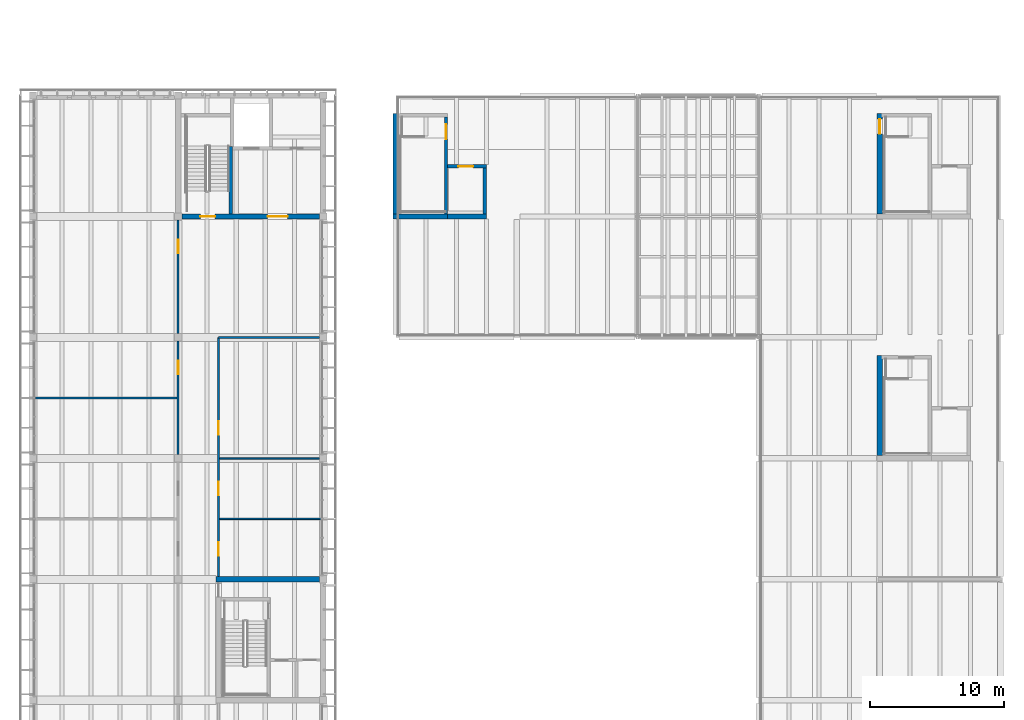
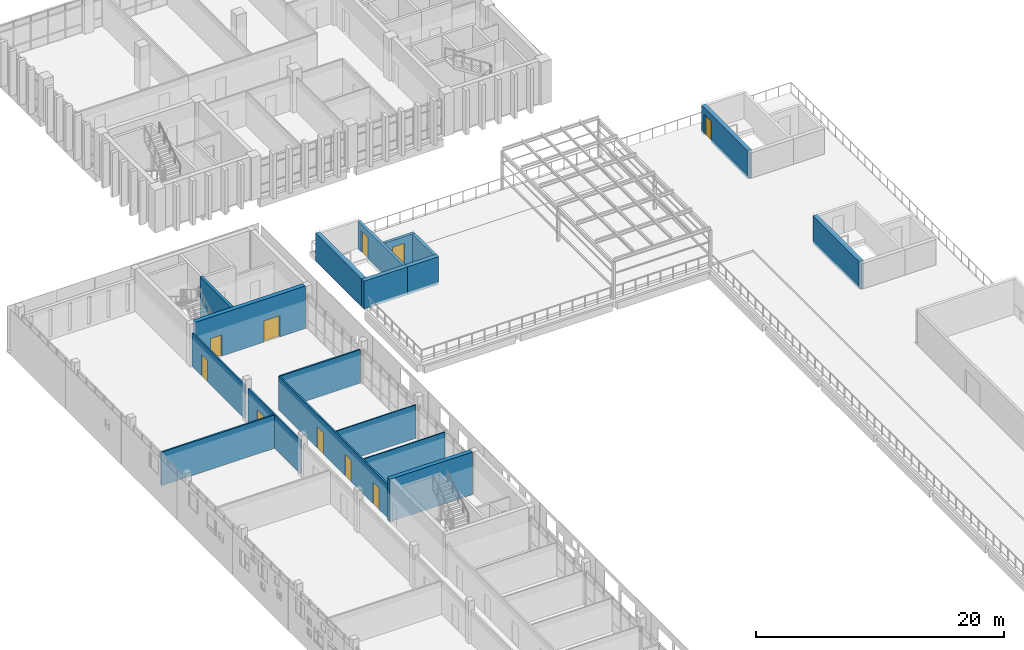
# One storey, part 46 of 74: 18 walls, 10 doors, 10 openings.
"""IFC4 building model written with IfcOpenShell, lengths in metres."""

from ifc_helpers import new_model, si_unit, direction, frame, frame_2d, origin, place, context, subcontext, project, spatial, rectangle, extrude, material, layer, layer_set, type_object, element, fill, save


model = new_model("IFC4")

# Units and contexts
model_context = context("Model", 3, precision=1e-05, world=origin(), true_north=direction((0.0, 1.0)))
body_context = subcontext(model_context, "Body", "Model", "MODEL_VIEW")
ifc_project = project(units=[si_unit("LENGTHUNIT", "METRE"), si_unit("AREAUNIT", "SQUARE_METRE"), si_unit("VOLUMEUNIT", "CUBIC_METRE"), si_unit("PLANEANGLEUNIT", "RADIAN"), si_unit("MASSUNIT", "GRAM", prefix="KILO")], contexts=[model_context])

# Site, building, storey
site_placement = place(None, origin())
site = spatial("IfcSite", under=ifc_project, at=site_placement, CompositionType="ELEMENT")
building_placement = place(site_placement, origin())
building = spatial("IfcBuilding", under=site, at=building_placement, Name="Merrow Basin Faculty of Sciences", CompositionType="ELEMENT")
storey_placement = place(building_placement, frame((0.0, 0.0, 13.5)))
storey = spatial("IfcBuildingStorey", under=building, at=storey_placement, Name="L03", CompositionType="ELEMENT", Elevation=13.5)

# Wall, openings, doors
ifc_material_1 = material(Name="Fire-rated gypsum board")
ifc_layer_1 = layer(ifc_material_1, 0.14990234375)
ifc_layer_set_1 = layer_set([ifc_layer_1], Name="Corridor partition 150 fire-rated board on steel studs")
wall_type_1 = type_object("IfcWallType", Name="Corridor partition 150 fire-rated board on steel studs", PredefinedType="PARTITIONING", material=ifc_layer_set_1)
wall_1_placement = place(storey_placement, frame((13.800048828125, 97.199951171875, 0.0), z_axis=(0.0, 0.0, 1.0), x_axis=(0.0, 1.0, 0.0)))
wall_1 = element("IfcWall", 1, at=wall_1_placement, inside=storey, type_object=wall_type_1, Name="IW151 L03 007", PredefinedType="PARTITIONING", context=body_context, shape_type="SweptSolid", body=[
    extrude(rectangle(XDim=17.800048828125, YDim=0.14990234375, at=frame_2d((8.89990234375, 0.0))), origin(), (0.0, 0.0, 1.0), 3.300048828125),
])
opening_1_placement = place(wall_1_placement, frame((1.550048828125, 0.0, 0.0)))
opening_1 = element("IfcOpeningElement", 2, at=opening_1_placement, cuts=wall_1, Name="Opening D03B026", PredefinedType="OPENING", context=body_context, shape_type="SweptSolid", body=[
    extrude(rectangle(XDim=1.0, YDim=2.10009765625, at=frame_2d((0.5, 1.050048828125))), frame((0.0, 0.0849609375, 0.0), z_axis=(0.0, -1.0, 0.0), x_axis=(1.0, 0.0, 0.0)), (0.0, 0.0, 1.0), 0.169921875),
])
opening_2_placement = place(wall_1_placement, frame((6.050048828125, 0.0, 0.0)))
opening_2 = element("IfcOpeningElement", 3, at=opening_2_placement, cuts=wall_1, Name="Opening D03B027", PredefinedType="OPENING", context=body_context, shape_type="SweptSolid", body=[
    extrude(rectangle(XDim=1.0, YDim=2.10009765625, at=frame_2d((0.5, 1.050048828125))), frame((0.0, 0.0849609375, 0.0), z_axis=(0.0, -1.0, 0.0), x_axis=(1.0, 0.0, 0.0)), (0.0, 0.0, 1.0), 0.169921875),
])
opening_3_placement = place(wall_1_placement, frame((10.550048828125, 0.0, 0.0)))
opening_3 = element("IfcOpeningElement", 4, at=opening_3_placement, cuts=wall_1, Name="Opening D03B028", PredefinedType="OPENING", context=body_context, shape_type="SweptSolid", body=[
    extrude(rectangle(XDim=1.0, YDim=2.10009765625, at=frame_2d((0.5, 1.050048828125))), frame((0.0, 0.0849609375, 0.0), z_axis=(0.0, -1.0, 0.0), x_axis=(1.0, 0.0, 0.0)), (0.0, 0.0, 1.0), 0.169921875),
])
ifc_material_2 = material(Name="Timber door leaf", Category="wood")
door_type_1 = type_object("IfcDoorType", Name="Single swing door 1000 x 2100", OperationType="NOTDEFINED", PredefinedType="DOOR", material=ifc_material_2)
door_1_placement = place(opening_1_placement, origin())
door_1 = element("IfcDoor", 5, at=door_1_placement, inside=storey, type_object=door_type_1, Name="Door D03B026", OperationType="SINGLE_SWING_LEFT", OverallHeight=2.10009765625, OverallWidth=1.0, PredefinedType="DOOR", context=body_context, shape_type="SweptSolid", body=[
    extrude(rectangle(XDim=1.0, YDim=2.10009765625, at=frame_2d((0.5, 1.050048828125))), frame((0.0, 0.02490234375, 0.0), z_axis=(0.0, -1.0, 0.0), x_axis=(1.0, 0.0, 0.0)), (0.0, 0.0, 1.0), 0.050048828125),
])
fill(opening_1, door_1)
door_2_placement = place(opening_2_placement, origin())
door_2 = element("IfcDoor", 6, at=door_2_placement, inside=storey, type_object=door_type_1, Name="Door D03B027", OperationType="SINGLE_SWING_LEFT", OverallHeight=2.10009765625, OverallWidth=1.0, PredefinedType="DOOR", context=body_context, shape_type="SweptSolid", body=[
    extrude(rectangle(XDim=1.0, YDim=2.10009765625, at=frame_2d((0.5, 1.050048828125))), frame((0.0, 0.02490234375, 0.0), z_axis=(0.0, -1.0, 0.0), x_axis=(1.0, 0.0, 0.0)), (0.0, 0.0, 1.0), 0.050048828125),
])
fill(opening_2, door_2)
door_3_placement = place(opening_3_placement, origin())
door_3 = element("IfcDoor", 7, at=door_3_placement, inside=storey, type_object=door_type_1, Name="Door D03B028", OperationType="SINGLE_SWING_LEFT", OverallHeight=2.10009765625, OverallWidth=1.0, PredefinedType="DOOR", context=body_context, shape_type="SweptSolid", body=[
    extrude(rectangle(XDim=1.0, YDim=2.10009765625, at=frame_2d((0.5, 1.050048828125))), frame((0.0, 0.02490234375, 0.0), z_axis=(0.0, -1.0, 0.0), x_axis=(1.0, 0.0, 0.0)), (0.0, 0.0, 1.0), 0.050048828125),
])
fill(opening_3, door_3)

# Wall
wall_2_placement = place(storey_placement, frame((13.800048828125, 115.0, 0.0), z_axis=(0.0, 0.0, 1.0), x_axis=(1.0, 0.0, 0.0)))
element("IfcWall", 8, at=wall_2_placement, inside=storey, type_object=wall_type_1, Name="IW151 L03 012", PredefinedType="PARTITIONING", context=body_context, shape_type="SweptSolid", body=[
    extrude(rectangle(XDim=7.52490234375, YDim=0.14990234375, at=frame_2d((3.762451171875, 0.0))), origin(), (0.0, 0.0, 1.0), 3.300048828125),
])

# Wall, opening, door
ifc_material_3 = material(Name="Fire-rated gypsum board")
ifc_layer_2 = layer(ifc_material_3, 0.14990234375)
ifc_layer_set_2 = layer_set([ifc_layer_2], Name="Laboratory partition 150 fire-rated board on steel studs")
wall_type_2 = type_object("IfcWallType", Name="Laboratory partition 150 fire-rated board on steel studs", PredefinedType="PARTITIONING", material=ifc_layer_set_2)
wall_3_placement = place(storey_placement, frame((10.800048828125, 106.27490234375, 0.0), z_axis=(0.0, 0.0, 1.0), x_axis=(0.0, 1.0, 0.0)))
wall_3 = element("IfcWall", 9, at=wall_3_placement, inside=storey, type_object=wall_type_2, Name="IW150 L03 017", PredefinedType="PARTITIONING", context=body_context, shape_type="SweptSolid", body=[
    extrude(rectangle(XDim=8.4501953125, YDim=0.14990234375, at=frame_2d((4.22509765625, 0.0))), origin(), (0.0, 0.0, 1.0), 3.300048828125),
])
opening_4_placement = place(wall_3_placement, frame((5.97509765625, 0.0, 0.0)))
opening_4 = element("IfcOpeningElement", 10, at=opening_4_placement, cuts=wall_3, Name="Opening D03B020", PredefinedType="OPENING", context=body_context, shape_type="SweptSolid", body=[
    extrude(rectangle(XDim=1.0, YDim=2.10009765625, at=frame_2d((0.5, 1.050048828125))), frame((0.0, 0.0849609375, 0.0), z_axis=(0.0, -1.0, 0.0), x_axis=(1.0, 0.0, 0.0)), (0.0, 0.0, 1.0), 0.169921875),
])
ifc_material_4 = material(Name="Fire-rated steel door", Category="steel")
door_type_2 = type_object("IfcDoorType", Name="Fire door FD60 1000 x 2100", OperationType="NOTDEFINED", PredefinedType="DOOR", material=ifc_material_4)
door_4_placement = place(opening_4_placement, origin())
door_4 = element("IfcDoor", 11, at=door_4_placement, inside=storey, type_object=door_type_2, Name="Door D03B020", OperationType="SINGLE_SWING_LEFT", OverallHeight=2.10009765625, OverallWidth=1.0, PredefinedType="DOOR", context=body_context, shape_type="SweptSolid", body=[
    extrude(rectangle(XDim=1.0, YDim=2.10009765625, at=frame_2d((0.5, 1.050048828125))), frame((0.0, 0.02490234375, 0.0), z_axis=(0.0, -1.0, 0.0), x_axis=(1.0, 0.0, 0.0)), (0.0, 0.0, 1.0), 0.050048828125),
])
fill(opening_4, door_4)

wall_4_placement = place(storey_placement, frame((10.800048828125, 115.27490234375, 0.0), z_axis=(0.0, 0.0, 1.0), x_axis=(0.0, 1.0, 0.0)))
wall_4 = element("IfcWall", 12, at=wall_4_placement, inside=storey, type_object=wall_type_2, Name="IW150 L03 018", PredefinedType="PARTITIONING", context=body_context, shape_type="SweptSolid", body=[
    extrude(rectangle(XDim=8.4501953125, YDim=0.14990234375, at=frame_2d((4.22509765625, 0.0))), origin(), (0.0, 0.0, 1.0), 3.300048828125),
])
opening_5_placement = place(wall_4_placement, frame((5.97509765625, 0.0, 0.0)))
opening_5 = element("IfcOpeningElement", 13, at=opening_5_placement, cuts=wall_4, Name="Opening D03B021", PredefinedType="OPENING", context=body_context, shape_type="SweptSolid", body=[
    extrude(rectangle(XDim=1.0, YDim=2.10009765625, at=frame_2d((0.5, 1.050048828125))), frame((0.0, 0.0849609375, 0.0), z_axis=(0.0, -1.0, 0.0), x_axis=(1.0, 0.0, 0.0)), (0.0, 0.0, 1.0), 0.169921875),
])
door_5_placement = place(opening_5_placement, origin())
door_5 = element("IfcDoor", 14, at=door_5_placement, inside=storey, type_object=door_type_2, Name="Door D03B021", OperationType="SINGLE_SWING_LEFT", OverallHeight=2.10009765625, OverallWidth=1.0, PredefinedType="DOOR", context=body_context, shape_type="SweptSolid", body=[
    extrude(rectangle(XDim=1.0, YDim=2.10009765625, at=frame_2d((0.5, 1.050048828125))), frame((0.0, 0.02490234375, 0.0), z_axis=(0.0, -1.0, 0.0), x_axis=(1.0, 0.0, 0.0)), (0.0, 0.0, 1.0), 0.050048828125),
])
fill(opening_5, door_5)

# Walls
wall_5_placement = place(storey_placement, frame((0.179931640625, 110.5, 0.0), z_axis=(0.0, 0.0, 1.0), x_axis=(1.0, 0.0, 0.0)))
element("IfcWall", 15, at=wall_5_placement, inside=storey, type_object=wall_type_2, Name="IW150 L03 021", PredefinedType="PARTITIONING", context=body_context, shape_type="SweptSolid", body=[
    extrude(rectangle(XDim=10.545166015625, YDim=0.14990234375, at=frame_2d((5.2724609375, 0.0))), origin(), (0.0, 0.0, 1.0), 3.300048828125),
])
ifc_material_5 = material(Name="Gypsum board")
ifc_layer_3 = layer(ifc_material_5, 0.10009765625)
ifc_layer_set_3 = layer_set([ifc_layer_3], Name="Partition 100 gypsum board on steel studs")
wall_type_3 = type_object("IfcWallType", Name="Partition 100 gypsum board on steel studs", PredefinedType="PARTITIONING", material=ifc_layer_set_3)
wall_6_placement = place(storey_placement, frame((13.875, 101.5, 0.0), z_axis=(0.0, 0.0, 1.0), x_axis=(1.0, 0.0, 0.0)))
element("IfcWall", 16, at=wall_6_placement, inside=storey, type_object=wall_type_3, Name="IW100 L03 027", PredefinedType="PARTITIONING", context=body_context, shape_type="SweptSolid", body=[
    extrude(rectangle(XDim=7.544921875, YDim=0.10009765625, at=frame_2d((3.7724609375, 0.0))), origin(), (0.0, 0.0, 1.0), 3.300048828125),
])
wall_7_placement = place(storey_placement, frame((13.875, 106.0, 0.0), z_axis=(0.0, 0.0, 1.0), x_axis=(1.0, 0.0, 0.0)))
element("IfcWall", 17, at=wall_7_placement, inside=storey, type_object=wall_type_3, Name="IW100 L03 028", PredefinedType="PARTITIONING", context=body_context, shape_type="SweptSolid", body=[
    extrude(rectangle(XDim=7.449951171875, YDim=0.10009765625, at=frame_2d((3.72509765625, 0.0))), origin(), (0.0, 0.0, 1.0), 3.300048828125),
])
ifc_material_6 = material(Name="Concrete C40/50", Category="concrete")
ifc_layer_4 = layer(ifc_material_6, 0.25)
ifc_layer_set_4 = layer_set([ifc_layer_4], Name="Shear wall 250 Concrete C40/50")
wall_type_4 = type_object("IfcWallType", Name="Shear wall 250 Concrete C40/50", PredefinedType="SHEAR", material=ifc_layer_set_4)
wall_8_placement = place(storey_placement, frame((14.72509765625, 124.199951171875, 0.0), z_axis=(0.0, 0.0, 1.0), x_axis=(0.0, 1.0, 0.0)))
element("IfcWall", 18, at=wall_8_placement, inside=storey, type_object=wall_type_4, Name="SW2 L03 020", PredefinedType="SHEAR", context=body_context, shape_type="SweptSolid", body=[
    extrude(rectangle(XDim=5.0, YDim=0.25, at=frame_2d((2.5, 0.0))), origin(), (0.0, 0.0, 1.0), 4.199951171875),
])

# Wall, opening, door
wall_9_placement = place(storey_placement, frame((30.72509765625, 124.199951171875, 0.0), z_axis=(0.0, 0.0, 1.0), x_axis=(0.0, 1.0, 0.0)))
wall_9 = element("IfcWall", 19, at=wall_9_placement, inside=storey, type_object=wall_type_4, Name="SW2 L03 004", PredefinedType="SHEAR", context=body_context, shape_type="SweptSolid", body=[
    extrude(rectangle(XDim=7.199951171875, YDim=0.25, at=frame_2d((3.60009765625, 0.0))), origin(), (0.0, 0.0, 1.0), 2.75),
])
opening_6_placement = place(wall_9_placement, frame((5.550048828125, 0.0, 0.0)))
opening_6 = element("IfcOpeningElement", 20, at=opening_6_placement, cuts=wall_9, Name="Opening D03C006", PredefinedType="OPENING", context=body_context, shape_type="SweptSolid", body=[
    extrude(rectangle(XDim=1.10009765625, YDim=2.10009765625, at=frame_2d((0.550048828125, 1.050048828125))), frame((0.0, 0.135009765625, 0.0), z_axis=(0.0, -1.0, 0.0), x_axis=(1.0, 0.0, 0.0)), (0.0, 0.0, 1.0), 0.27001953125),
])
ifc_material_7 = material(Name="Fire-rated steel door", Category="steel")
door_type_3 = type_object("IfcDoorType", Name="Fire door FD90 1100 x 2100", OperationType="NOTDEFINED", PredefinedType="DOOR", material=ifc_material_7)
door_6_placement = place(opening_6_placement, frame((1.10009765625, 0.0, 0.0), z_axis=(0.0, 0.0, 1.0), x_axis=(-1.0, 0.0, 0.0)))
door_6 = element("IfcDoor", 21, at=door_6_placement, inside=storey, type_object=door_type_3, Name="Stair W roof terrace door", OperationType="SINGLE_SWING_LEFT", OverallHeight=2.10009765625, OverallWidth=1.10009765625, PredefinedType="DOOR", context=body_context, shape_type="SweptSolid", body=[
    extrude(rectangle(XDim=1.10009765625, YDim=2.10009765625, at=frame_2d((0.550048828125, 1.050048828125))), frame((0.0, 0.02490234375, 0.0), z_axis=(0.0, -1.0, 0.0), x_axis=(1.0, 0.0, 0.0)), (0.0, 0.0, 1.0), 0.050048828125),
])
fill(opening_6, door_6)

wall_10_placement = place(storey_placement, frame((30.85009765625, 127.72509765625, 0.0), z_axis=(0.0, 0.0, 1.0), x_axis=(1.0, 0.0, 0.0)))
wall_10 = element("IfcWall", 22, at=wall_10_placement, inside=storey, type_object=wall_type_4, Name="SW2 L03 006", PredefinedType="SHEAR", context=body_context, shape_type="SweptSolid", body=[
    extrude(rectangle(XDim=2.89990234375, YDim=0.25, at=frame_2d((1.449951171875, 0.0))), origin(), (0.0, 0.0, 1.0), 2.75),
])
opening_7_placement = place(wall_10_placement, frame((0.800048828125, 0.0, 0.0)))
opening_7 = element("IfcOpeningElement", 23, at=opening_7_placement, cuts=wall_10, Name="Opening LD03C01", PredefinedType="OPENING", context=body_context, shape_type="SweptSolid", body=[
    extrude(rectangle(XDim=1.10009765625, YDim=2.10009765625, at=frame_2d((0.550048828125, 1.050048828125))), frame((0.0, 0.135009765625, 0.0), z_axis=(0.0, -1.0, 0.0), x_axis=(1.0, 0.0, 0.0)), (0.0, 0.0, 1.0), 0.27001953125),
])
ifc_material_8 = material(Name="Stainless steel sliding door", Category="steel")
door_type_4 = type_object("IfcDoorType", Name="Lift landing door 1100 x 2100 sliding", OperationType="NOTDEFINED", PredefinedType="DOOR", material=ifc_material_8)
door_7_placement = place(opening_7_placement, origin())
door_7 = element("IfcDoor", 24, at=door_7_placement, inside=storey, type_object=door_type_4, Name="Landing door LF5 L03", OperationType="SLIDING_TO_LEFT", OverallHeight=2.10009765625, OverallWidth=1.10009765625, PredefinedType="DOOR", context=body_context, shape_type="SweptSolid", body=[
    extrude(rectangle(XDim=1.10009765625, YDim=2.10009765625, at=frame_2d((0.550048828125, 1.050048828125))), frame((0.0, 0.02490234375, 0.0), z_axis=(0.0, -1.0, 0.0), x_axis=(1.0, 0.0, 0.0)), (0.0, 0.0, 1.0), 0.050048828125),
])
fill(opening_7, door_7)

# Walls
wall_11_placement = place(storey_placement, frame((33.625, 124.199951171875, 0.0), z_axis=(0.0, 0.0, 1.0), x_axis=(0.0, 1.0, 0.0)))
element("IfcWall", 25, at=wall_11_placement, inside=storey, type_object=wall_type_4, Name="SW2 L03 007", PredefinedType="SHEAR", context=body_context, shape_type="SweptSolid", body=[
    extrude(rectangle(XDim=3.400146484375, YDim=0.25, at=frame_2d((1.7001953125, 0.0))), origin(), (0.0, 0.0, 1.0), 2.75),
])
ifc_material_9 = material(Name="Concrete C40/50", Category="concrete")
ifc_layer_5 = layer(ifc_material_9, 0.39990234375)
ifc_layer_set_5 = layer_set([ifc_layer_5], Name="Shear wall 400 Concrete C40/50")
wall_type_5 = type_object("IfcWallType", Name="Shear wall 400 Concrete C40/50", PredefinedType="SHEAR", material=ifc_layer_set_5)
wall_12_placement = place(storey_placement, frame((13.60009765625, 97.0, 0.0), z_axis=(0.0, 0.0, 1.0), x_axis=(1.0, 0.0, 0.0)))
element("IfcWall", 26, at=wall_12_placement, inside=storey, type_object=wall_type_5, Name="SW1 L03 010", PredefinedType="SHEAR", context=body_context, shape_type="SweptSolid", body=[
    extrude(rectangle(XDim=7.724853515625, YDim=0.39990234375, at=frame_2d((3.8623046875, 0.0))), origin(), (0.0, 0.0, 1.0), 4.199951171875),
])

# Wall, openings, doors
wall_13_placement = place(storey_placement, frame((11.074951171875, 124.0, 0.0), z_axis=(0.0, 0.0, 1.0), x_axis=(1.0, 0.0, 0.0)))
wall_13 = element("IfcWall", 27, at=wall_13_placement, inside=storey, type_object=wall_type_5, Name="SW1 L03 015", PredefinedType="SHEAR", context=body_context, shape_type="SweptSolid", body=[
    extrude(rectangle(XDim=10.25, YDim=0.39990234375, at=frame_2d((5.125, 0.0))), origin(), (0.0, 0.0, 1.0), 4.199951171875),
])
opening_8_placement = place(wall_13_placement, frame((1.375, 0.0, 0.0)))
opening_8 = element("IfcOpeningElement", 28, at=opening_8_placement, cuts=wall_13, Name="Opening D03B009", PredefinedType="OPENING", context=body_context, shape_type="SweptSolid", body=[
    extrude(rectangle(XDim=1.10009765625, YDim=2.10009765625, at=frame_2d((0.550048828125, 1.050048828125))), frame((0.0, 0.2099609375, 0.0), z_axis=(0.0, -1.0, 0.0), x_axis=(1.0, 0.0, 0.0)), (0.0, 0.0, 1.0), 0.419921875),
])
opening_9_placement = place(wall_13_placement, frame((6.375, 0.0, 0.0)))
opening_9 = element("IfcOpeningElement", 29, at=opening_9_placement, cuts=wall_13, Name="Opening D03B010", PredefinedType="OPENING", context=body_context, shape_type="SweptSolid", body=[
    extrude(rectangle(XDim=1.5, YDim=2.10009765625, at=frame_2d((0.75, 1.050048828125))), frame((0.0, 0.2099609375, 0.0), z_axis=(0.0, -1.0, 0.0), x_axis=(1.0, 0.0, 0.0)), (0.0, 0.0, 1.0), 0.419921875),
])
ifc_material_10 = material(Name="Fire-rated steel door", Category="steel")
door_type_5 = type_object("IfcDoorType", Name="Fire door FD60 1500 x 2100", OperationType="NOTDEFINED", PredefinedType="DOOR", material=ifc_material_10)
door_8_placement = place(opening_9_placement, origin())
door_8 = element("IfcDoor", 30, at=door_8_placement, inside=storey, type_object=door_type_5, Name="Door D03B010", OperationType="DOUBLE_DOOR_SINGLE_SWING", OverallHeight=2.10009765625, OverallWidth=1.5, PredefinedType="DOOR", context=body_context, shape_type="SweptSolid", body=[
    extrude(rectangle(XDim=1.5, YDim=2.10009765625, at=frame_2d((0.75, 1.050048828125))), frame((0.0, 0.02490234375, 0.0), z_axis=(0.0, -1.0, 0.0), x_axis=(1.0, 0.0, 0.0)), (0.0, 0.0, 1.0), 0.050048828125),
])
fill(opening_9, door_8)
door_9_placement = place(opening_8_placement, origin())
door_9 = element("IfcDoor", 31, at=door_9_placement, inside=storey, type_object=door_type_3, Name="Door D03B009", OperationType="SINGLE_SWING_LEFT", OverallHeight=2.10009765625, OverallWidth=1.10009765625, PredefinedType="DOOR", context=body_context, shape_type="SweptSolid", body=[
    extrude(rectangle(XDim=1.10009765625, YDim=2.10009765625, at=frame_2d((0.550048828125, 1.050048828125))), frame((0.0, 0.02490234375, 0.0), z_axis=(0.0, -1.0, 0.0), x_axis=(1.0, 0.0, 0.0)), (0.0, 0.0, 1.0), 0.050048828125),
])
fill(opening_8, door_9)

# Walls
wall_14_placement = place(storey_placement, frame((26.800048828125, 124.0, 0.0), z_axis=(0.0, 0.0, 1.0), x_axis=(1.0, 0.0, 0.0)))
element("IfcWall", 32, at=wall_14_placement, inside=storey, type_object=wall_type_5, Name="SW1 L03 001", PredefinedType="SHEAR", context=body_context, shape_type="SweptSolid", body=[
    extrude(rectangle(XDim=4.050048828125, YDim=0.39990234375, at=frame_2d((2.02490234375, 0.0))), origin(), (0.0, 0.0, 1.0), 2.75),
])
wall_15_placement = place(storey_placement, frame((27.0, 124.199951171875, 0.0), z_axis=(0.0, 0.0, 1.0), x_axis=(0.0, 1.0, 0.0)))
element("IfcWall", 33, at=wall_15_placement, inside=storey, type_object=wall_type_5, Name="SW1 L03 003", PredefinedType="SHEAR", context=body_context, shape_type="SweptSolid", body=[
    extrude(rectangle(XDim=7.449951171875, YDim=0.39990234375, at=frame_2d((3.72509765625, 0.0))), origin(), (0.0, 0.0, 1.0), 2.75),
])
wall_16_placement = place(storey_placement, frame((30.85009765625, 124.0, 0.0), z_axis=(0.0, 0.0, 1.0), x_axis=(1.0, 0.0, 0.0)))
element("IfcWall", 34, at=wall_16_placement, inside=storey, type_object=wall_type_5, Name="SW1 L03 005", PredefinedType="SHEAR", context=body_context, shape_type="SweptSolid", body=[
    extrude(rectangle(XDim=2.89990234375, YDim=0.39990234375, at=frame_2d((1.449951171875, 0.0))), origin(), (0.0, 0.0, 1.0), 2.75),
])
wall_17_placement = place(storey_placement, frame((63.0, 106.199951171875, 0.0), z_axis=(0.0, 0.0, 1.0), x_axis=(0.0, 1.0, 0.0)))
element("IfcWall", 35, at=wall_17_placement, inside=storey, type_object=wall_type_5, Name="SW1 L03 017", PredefinedType="SHEAR", context=body_context, shape_type="SweptSolid", body=[
    extrude(rectangle(XDim=7.449951171875, YDim=0.39990234375, at=frame_2d((3.72509765625, 0.0))), origin(), (0.0, 0.0, 1.0), 2.75),
])

# Wall, opening, door
wall_18_placement = place(storey_placement, frame((63.0, 124.199951171875, 0.0), z_axis=(0.0, 0.0, 1.0), x_axis=(0.0, 1.0, 0.0)))
wall_18 = element("IfcWall", 36, at=wall_18_placement, inside=storey, type_object=wall_type_5, Name="SW1 L03 024", PredefinedType="SHEAR", context=body_context, shape_type="SweptSolid", body=[
    extrude(rectangle(XDim=7.449951171875, YDim=0.39990234375, at=frame_2d((3.72509765625, 0.0))), origin(), (0.0, 0.0, 1.0), 2.75),
])
opening_10_placement = place(wall_18_placement, frame((5.949951171875, 0.0, 0.0)))
opening_10 = element("IfcOpeningElement", 37, at=opening_10_placement, cuts=wall_18, Name="Opening D03C005", PredefinedType="OPENING", context=body_context, shape_type="SweptSolid", body=[
    extrude(rectangle(XDim=1.10009765625, YDim=2.10009765625, at=frame_2d((0.550048828125, 1.050048828125))), frame((0.0, 0.2099609375, 0.0), z_axis=(0.0, -1.0, 0.0), x_axis=(1.0, 0.0, 0.0)), (0.0, 0.0, 1.0), 0.419921875),
])
door_10_placement = place(opening_10_placement, origin())
door_10 = element("IfcDoor", 38, at=door_10_placement, inside=storey, type_object=door_type_3, Name="Stair N roof terrace door", OperationType="SINGLE_SWING_RIGHT", OverallHeight=2.10009765625, OverallWidth=1.10009765625, PredefinedType="DOOR", context=body_context, shape_type="SweptSolid", body=[
    extrude(rectangle(XDim=1.10009765625, YDim=2.10009765625, at=frame_2d((0.550048828125, 1.050048828125))), frame((0.0, 0.02490234375, 0.0), z_axis=(0.0, -1.0, 0.0), x_axis=(1.0, 0.0, 0.0)), (0.0, 0.0, 1.0), 0.050048828125),
])
fill(opening_10, door_10)

save(model, "model.ifc")
